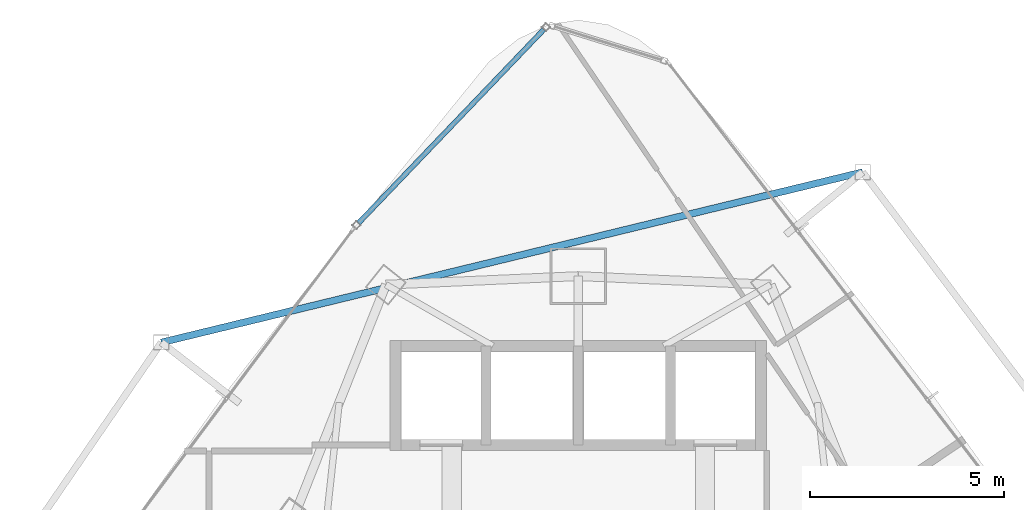
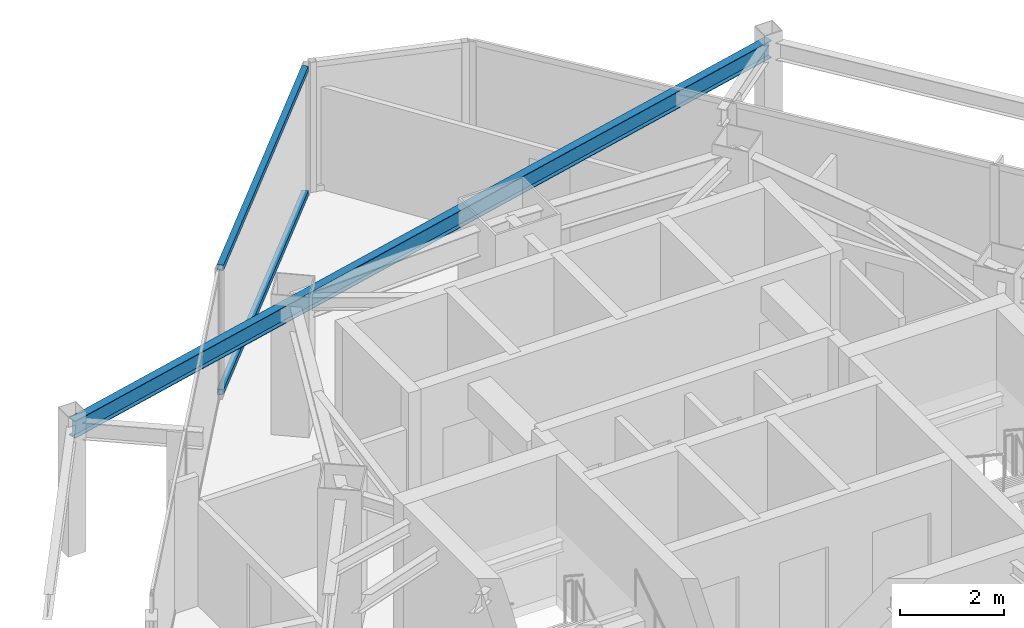
# One storey, part 20 of 29: 2 members, 1 beam, 1 element without a shape of its own.
"""IFC4 building model written with IfcOpenShell, lengths in metres."""

import ifcopenshell
import ifcopenshell.guid

model = None  # the IFC model being written
_history = None  # IfcOwnerHistory: only IFC2X3 demands one
_inside = {}  # id of a spatial element -> (the spatial element, [elements in it])
_under = {}  # id of a project, library or spatial element -> (it, [spatial elements below it])
_declared = {}  # id of a project -> (the project, [libraries it declares])
_typed = {}  # id of a type object -> (the type object, [elements of that type])
_made_of = {}  # id of a material, layer set ... -> (it, [elements and type objects made of it])


def new_model(schema):
    """Start an empty IFC model of exactly this schema.

    Asked for "IFC4X3", IfcOpenShell would pick the latest addendum, in which some entities
    have other attributes; the version numbers below select the first issue.
    IFC2X3 requires an IfcOwnerHistory on every rooted entity: one is made here for all.
    """
    global model, _history
    if schema == "IFC4X3":
        model = ifcopenshell.file(schema_version=(4, 3, 0, 0))
    else:
        model = ifcopenshell.file(schema=schema)
    _inside.clear()
    _under.clear()
    _declared.clear()
    _typed.clear()
    _made_of.clear()
    _history = None
    if model.schema == "IFC2X3":
        org = make("IfcOrganization", Name="unknown")
        user = make(
            "IfcPersonAndOrganization",
            ThePerson=make("IfcPerson", FamilyName="unknown"),
            TheOrganization=org,
        )
        app = make(
            "IfcApplication",
            ApplicationDeveloper=org,
            Version="unknown",
            ApplicationFullName="unknown",
            ApplicationIdentifier="unknown",
        )
        _history = make(
            "IfcOwnerHistory",
            OwningUser=user,
            OwningApplication=app,
            ChangeAction="ADDED",
            CreationDate=0,
        )
    return model


def make(cls, **values):
    """One entity of the class cls with the attributes given. An attribute that is None is left unset."""
    return model.create_entity(
        cls, **{name: value for name, value in values.items() if value is not None}
    )


def rooted(cls, **values):
    """An entity with a GlobalId (a new one), such as an element, a storey or a relation."""
    return make(cls, GlobalId=ifcopenshell.guid.new(), OwnerHistory=_history, **values)


def si_unit(unit_type, name, prefix=None):
    """IfcSIUnit, for example si_unit("LENGTHUNIT", "METRE", prefix="MILLI")."""
    return make("IfcSIUnit", UnitType=unit_type, Prefix=prefix, Name=name)


def assignment(units):
    """IfcUnitAssignment: the units of a project."""
    return None if units is None else make("IfcUnitAssignment", Units=units)


def point(xyz):
    """IfcCartesianPoint."""
    return None if xyz is None else make("IfcCartesianPoint", Coordinates=xyz)


def direction(xyz):
    """IfcDirection."""
    return None if xyz is None else make("IfcDirection", DirectionRatios=xyz)


def frame(location, z_axis=None, x_axis=None):
    """IfcAxis2Placement3D, a coordinate frame: its origin and axes. An axis left out is left unset."""
    return make(
        "IfcAxis2Placement3D",
        Location=point(location),
        Axis=direction(z_axis),
        RefDirection=direction(x_axis),
    )


def frame_2d(location, x_axis=None):
    """IfcAxis2Placement2D, a coordinate frame in the plane: its origin and x axis."""
    return make(
        "IfcAxis2Placement2D", Location=point(location), RefDirection=direction(x_axis)
    )


def origin():
    """The frame at (0, 0, 0) with its axes left unset."""
    return frame((0.0, 0.0, 0.0))


def origin_2d():
    """The frame at (0, 0) in the plane with its x axis left unset."""
    return frame_2d((0.0, 0.0))


def place(relative_to, where):
    """IfcLocalPlacement: puts the frame where relative to a parent placement (None: the world)."""
    return make(
        "IfcLocalPlacement", PlacementRelTo=relative_to, RelativePlacement=where
    )


def context(
    kind, dimensions, precision=None, world=None, true_north=None, identifier=None
):
    """IfcGeometricRepresentationContext, for example the 3D "Model" context."""
    return make(
        "IfcGeometricRepresentationContext",
        ContextIdentifier=identifier,
        ContextType=kind,
        CoordinateSpaceDimension=dimensions,
        Precision=precision,
        WorldCoordinateSystem=world,
        TrueNorth=true_north,
    )


def subcontext(parent, identifier, kind, view, scale=None):
    """IfcGeometricRepresentationSubContext, for example "Body" below "Model"."""
    return make(
        "IfcGeometricRepresentationSubContext",
        ContextIdentifier=identifier,
        ContextType=kind,
        ParentContext=parent,
        TargetScale=scale,
        TargetView=view,
    )


def project(units=None, contexts=None):
    """IfcProject with its units and contexts."""
    return rooted(
        "IfcProject",
        Name="project",
        RepresentationContexts=contexts,
        UnitsInContext=assignment(units),
    )


def spatial(cls, under=None, at=None, **own):
    """A site, building, storey or space (cls), placed at a placement, below another one or the project."""
    s = rooted(cls, ObjectPlacement=at, **own)
    if under is not None:
        _under.setdefault(under.id(), (under, []))[1].append(s)
    return s


def profile(cls, at=None, kind="AREA", **sizes):
    """A parametric profile (cls). Its sizes go by their IFC names, for example OverallWidth=200.0."""
    return make(cls, ProfileType=kind, Position=at, **sizes)


def hollow_rectangle(**sizes):
    """IfcRectangleHollowProfileDef."""
    return profile("IfcRectangleHollowProfileDef", **sizes)


def i_section(**sizes):
    """IfcIShapeProfileDef."""
    return profile("IfcIShapeProfileDef", **sizes)


def extrude(swept, where, along, depth):
    """IfcExtrudedAreaSolid: the profile swept, set in the frame where, extruded along a direction by depth."""
    return make(
        "IfcExtrudedAreaSolid",
        SweptArea=swept,
        Position=where,
        ExtrudedDirection=direction(along),
        Depth=depth,
    )


def shape(context_of_items, identifier, shape_type, items):
    """IfcShapeRepresentation: the items that make up one representation, for example the "Body"."""
    return make(
        "IfcShapeRepresentation",
        ContextOfItems=context_of_items,
        RepresentationIdentifier=identifier,
        RepresentationType=shape_type,
        Items=items,
    )


def material(Name=None, Category=None):
    """IfcMaterial."""
    return make("IfcMaterial", Name=Name, Category=Category)


def layer(
    of_material, thickness, ventilated=None, Name=None, Category=None, Priority=None
):
    """IfcMaterialLayer: one layer of a wall or slab, of a material (None: an air gap)."""
    return make(
        "IfcMaterialLayer",
        Material=of_material,
        LayerThickness=thickness,
        IsVentilated=ventilated,
        Name=Name,
        Category=Category,
        Priority=Priority,
    )


def layer_set(layers, Name=None):
    """IfcMaterialLayerSet."""
    return make("IfcMaterialLayerSet", MaterialLayers=layers, LayerSetName=Name)


def material_profile(
    of_material, cross_section, Name=None, Category=None, Priority=None
):
    """IfcMaterialProfile: a cross section and its material."""
    return make(
        "IfcMaterialProfile",
        Name=Name,
        Material=of_material,
        Profile=cross_section,
        Priority=Priority,
        Category=Category,
    )


def profile_set(profiles, Name=None, composite=None):
    """IfcMaterialProfileSet."""
    return make(
        "IfcMaterialProfileSet",
        Name=Name,
        MaterialProfiles=profiles,
        CompositeProfile=composite,
    )


def made_of(thing, what):
    """Note that an element or type object is made of a material, layer set ...; save() writes the relation."""
    if what is not None:
        _made_of.setdefault(what.id(), (what, []))[1].append(thing)
    return thing


def type_object(cls, material=None, **own):
    """A type object (cls), such as IfcWallType, which elements share."""
    return made_of(rooted(cls, **own), material)


def element(
    cls,
    number,
    at=None,
    inside=None,
    cuts=None,
    type_object=None,
    material=None,
    context=None,
    identifier="Body",
    shape_type=None,
    held_by="IfcProductDefinitionShape",
    body=None,
    shapes=None,
    **own,
):
    """One element of the class cls, such as IfcWall. Its Tag is "e" and its number.

    at: its placement. inside: the storey or other place that contains it. cuts: it is an
    opening in that element (IfcRelVoidsElement). A single representation is given by context,
    identifier, shape_type and body (its items); several are given by shapes. held_by: the class
    of the entity that holds the representations. save() writes the other relations.
    """
    e = rooted(cls, Tag="e%d" % number, ObjectPlacement=at, **own)
    if body is not None:
        shapes = [shape(context, identifier, shape_type, body)]
    if shapes is not None:
        e.Representation = make(held_by, Representations=shapes)
    if inside is not None:
        _inside.setdefault(inside.id(), (inside, []))[1].append(e)
    if cuts is not None:
        rooted(
            "IfcRelVoidsElement", RelatingBuildingElement=cuts, RelatedOpeningElement=e
        )
    if type_object is not None:
        _typed.setdefault(type_object.id(), (type_object, []))[1].append(e)
    return made_of(e, material)


def aggregate(whole, parts):
    """IfcRelAggregates: a whole, such as a stair, and the parts it consists of."""
    return rooted("IfcRelAggregates", RelatingObject=whole, RelatedObjects=parts)


def save(model, path):
    """Write the relations noted so far, then the file.

    IfcRelAggregates (storeys below a building ...), IfcRelContainedInSpatialStructure (elements
    in a storey), IfcRelDefinesByType, IfcRelAssociatesMaterial and IfcRelDeclares: one each for
    every whole, place, type object, material and project.
    """
    for whole, parts in _under.values():
        aggregate(whole, parts)
    for where, things in _inside.values():
        rooted(
            "IfcRelContainedInSpatialStructure",
            RelatedElements=things,
            RelatingStructure=where,
        )
    for kind, things in _typed.values():
        rooted("IfcRelDefinesByType", RelatedObjects=things, RelatingType=kind)
    for what, things in _made_of.values():
        rooted("IfcRelAssociatesMaterial", RelatedObjects=things, RelatingMaterial=what)
    for by, libraries in _declared.values():
        rooted("IfcRelDeclares", RelatingContext=by, RelatedDefinitions=libraries)
    model.write(path)


model = new_model("IFC4")

# Units and contexts
model_context = context("Model", 3, precision=1e-05, world=origin(), true_north=direction((0.0, 1.0)))
body_context = subcontext(model_context, "Body", "Model", "MODEL_VIEW")
ifc_project = project(units=[si_unit("LENGTHUNIT", "METRE"), si_unit("AREAUNIT", "SQUARE_METRE"), si_unit("VOLUMEUNIT", "CUBIC_METRE"), si_unit("PLANEANGLEUNIT", "RADIAN"), si_unit("MASSUNIT", "GRAM", prefix="KILO")], contexts=[model_context])

# Site, building, storey
site_placement = place(None, origin())
site = spatial("IfcSite", under=ifc_project, at=site_placement, CompositionType="ELEMENT")
building_placement = place(site_placement, origin())
building = spatial("IfcBuilding", under=site, at=building_placement, Name="Orvanel Arch Residences", CompositionType="ELEMENT")
storey_placement = place(building_placement, frame((0.0, 0.0, 160.550048828125)))
storey = spatial("IfcBuildingStorey", under=building, at=storey_placement, Name="L45", CompositionType="ELEMENT", Elevation=160.550048828125)

# Beam
ifc_material_1 = material(Name="Structural steel AS/NZS 3679.1 Grade 300 (300 MPa)", Category="steel")
ifc_material_profile_1 = material_profile(ifc_material_1, i_section(OverallWidth=0.177978515625, OverallDepth=0.406005859375, WebThickness=0.0078125, FlangeThickness=0.0126953125, at=origin_2d()), Name="410UB59.7")
ifc_profile_set_1 = profile_set([ifc_material_profile_1], Name="Structural steel AS/NZS 3679.1 Grade 300 (300 MPa)")
beam_type = type_object("IfcBeamType", Name="OB-410UB-EXT", PredefinedType="SPANDREL", material=ifc_profile_set_1)
beam_placement = place(storey_placement, frame((40.31494140625, 44.072998046875, 2.85693359375), z_axis=(-0.97175723661, -0.235982781354, 0.0), x_axis=(0.235982781354, -0.97175723661, 0.0)))
element("IfcBeam", 1, at=beam_placement, inside=storey, type_object=beam_type, Name="L45 Outer Perimeter Floor Ring Beam 12", PredefinedType="SPANDREL", context=body_context, shape_type="SweptSolid", body=[
    extrude(i_section(OverallWidth=0.177978515625, OverallDepth=0.406005859375, WebThickness=0.0078125, FlangeThickness=0.0126953125, at=origin_2d()), origin(), (0.0, 0.0, 1.0), 18.5654296875),
])

# Curtain wall, members
ifc_material_2 = material(Name="Bronze-anodised aluminium AA6063-T6", Category="aluminium")
ifc_layer = layer(ifc_material_2, 0.18994140625)
ifc_layer_set = layer_set([ifc_layer], Name="Bronze-anodised aluminium AA6063-T6")
curtain_wall_type = type_object("IfcCurtainWallType", Name="CW5-CRN-SYS", PredefinedType="NOTDEFINED", material=ifc_layer_set)
curtain_wall_placement = place(storey_placement, origin())
curtain_wall = element("IfcCurtainWall", 2, at=curtain_wall_placement, inside=storey, type_object=curtain_wall_type, Name="L45 CW5-CRN-SYS Unitised Curtain Wall", PredefinedType="NOTDEFINED")
ifc_material_profile_2 = material_profile(ifc_material_2, hollow_rectangle(XDim=0.1298828125, YDim=0.1298828125, WallThickness=0.00439453125, at=origin_2d()), Name="ALU130x130x4.5")
ifc_profile_set_2 = profile_set([ifc_material_profile_2], Name="Bronze-anodised aluminium AA6063-T6")
member_type = type_object("IfcMemberType", Name="TRN-130x130", PredefinedType="USERDEFINED", material=ifc_profile_set_2)
member_1_placement = place(storey_placement, frame((32.115234375, 47.74560546875, 0.06494140625), z_axis=(-0.691526319565, -0.722351264516, 0.0), x_axis=(0.722351264516, -0.691526319565, 0.0)))
member_1 = element("IfcMember", 3, at=member_1_placement, type_object=member_type, Name="CW-S5 transom 1.1", ObjectType="TRANSOM", PredefinedType="USERDEFINED", context=body_context, shape_type="SweptSolid", body=[
    extrude(hollow_rectangle(XDim=0.1298828125, YDim=0.1298828125, WallThickness=0.00439453125, at=origin_2d()), origin(), (0.0, 0.0, 1.0), 6.8984375),
])
member_2_placement = place(storey_placement, frame((32.115234375, 47.74560546875, 2.994873046875), z_axis=(-0.691526319565, -0.722351264516, 0.0), x_axis=(0.722351264516, -0.691526319565, 0.0)))
member_2 = element("IfcMember", 4, at=member_2_placement, type_object=member_type, Name="CW-S5 transom 1.2", ObjectType="TRANSOM", PredefinedType="USERDEFINED", context=body_context, shape_type="SweptSolid", body=[
    extrude(hollow_rectangle(XDim=0.1298828125, YDim=0.1298828125, WallThickness=0.00439453125, at=origin_2d()), origin(), (0.0, 0.0, 1.0), 6.8984375),
])
aggregate(curtain_wall, [member_1, member_2])

save(model, "model.ifc")
